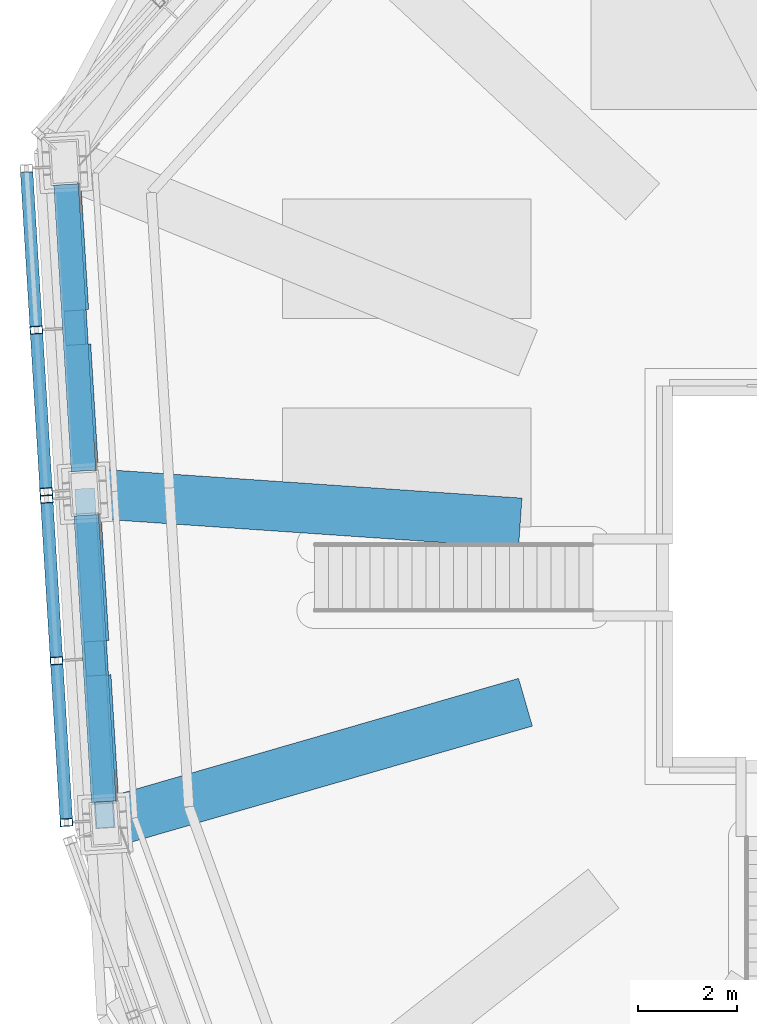
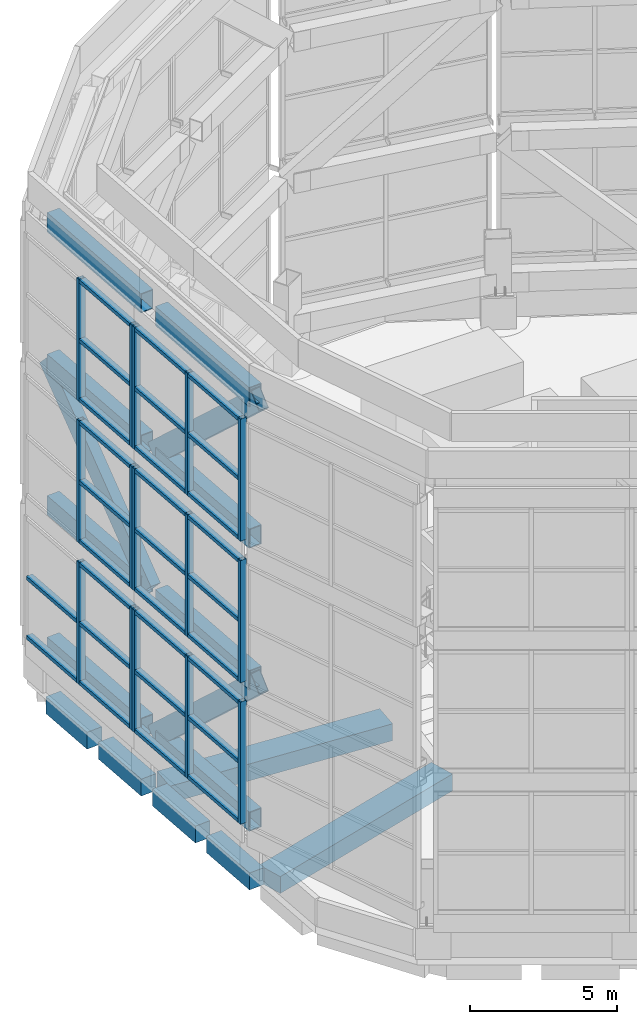
# One storey, part 7 of 46: 55 members, 6 beams, 6 elements without a shape of their own.
"""IFC4 building model written with IfcOpenShell, lengths in metres."""

from ifc_helpers import new_model, si_unit, direction, frame, origin, origin_2d, place, context, subcontext, project, spatial, rectangle, hollow_rectangle, extrude, material, material_profile, profile_set, type_object, element, aggregate, save


model = new_model("IFC4")

# Units and contexts
model_context = context("Model", 3, precision=1e-05, world=origin(), true_north=direction((0.0, 1.0)))
body_context = subcontext(model_context, "Body", "Model", "MODEL_VIEW")
ifc_project = project(units=[si_unit("LENGTHUNIT", "METRE"), si_unit("AREAUNIT", "SQUARE_METRE"), si_unit("VOLUMEUNIT", "CUBIC_METRE"), si_unit("PLANEANGLEUNIT", "RADIAN"), si_unit("MASSUNIT", "GRAM", prefix="KILO")], contexts=[model_context])

# Site, building, storey
site_placement = place(None, origin())
site = spatial("IfcSite", under=ifc_project, at=site_placement, CompositionType="ELEMENT")
building_placement = place(site_placement, origin())
building = spatial("IfcBuilding", under=site, at=building_placement, Name="Vanh Sen Convention Tower", CompositionType="ELEMENT")
storey_placement = place(building_placement, frame((0.0, 0.0, 305.0)))
storey = spatial("IfcBuildingStorey", under=building, at=storey_placement, Name="Roof level", CompositionType="ELEMENT", Elevation=305.0)

# Members
ifc_material_1 = material(Name="Steel S460", Category="steel")
ifc_material_profile_1 = material_profile(ifc_material_1, hollow_rectangle(XDim=0.39990234375, YDim=0.800048828125, WallThickness=0.02490234375, at=origin_2d()), Name="BOX 800X400X25")
ifc_profile_set_1 = profile_set([ifc_material_profile_1], Name="Steel S460")
member_type_1 = type_object("IfcMemberType", Name="Crown brace BOX 800X400X25", PredefinedType="BRACE", material=ifc_profile_set_1)
member_1_placement = place(storey_placement, frame((-18.9033203125, 1.115478515625, 1.7451171875), z_axis=(0.044683438643, -0.730472153041, 0.681479144173), x_axis=(0.998134311486, 0.061056500346, 0.0)))
element("IfcMember", 1, at=member_1_placement, inside=storey, type_object=member_type_1, Name="CROWN FRAME brace tier 1 span 11", PredefinedType="BRACE", context=body_context, shape_type="SweptSolid", body=[
    extrude(hollow_rectangle(XDim=0.39990234375, YDim=0.800048828125, WallThickness=0.02490234375, at=origin_2d()), origin(), (0.0, 0.0, 1.0), 8.61083984375),
])
member_2_placement = place(storey_placement, frame((-19.310302734375, 7.7666015625, 13.481689453125), z_axis=(0.04470994458, -0.73047033742, -0.681479351856), x_axis=(0.99813209434, 0.061092734825, 0.0)))
element("IfcMember", 2, at=member_2_placement, inside=storey, type_object=member_type_1, Name="CROWN FRAME brace tier 2 span 10", PredefinedType="BRACE", context=body_context, shape_type="SweptSolid", body=[
    extrude(hollow_rectangle(XDim=0.39990234375, YDim=0.800048828125, WallThickness=0.02490234375, at=origin_2d()), origin(), (0.0, 0.0, 1.0), 8.611328125),
])
member_3_placement = place(storey_placement, frame((-18.9033203125, 1.115478515625, 13.481689453125), z_axis=(0.044682575295, -0.73045803927, 0.681494328906), x_axis=(0.998134311486, 0.061056500346, 0.0)))
element("IfcMember", 3, at=member_3_placement, inside=storey, type_object=member_type_1, Name="CROWN FRAME brace tier 3 span 11", PredefinedType="BRACE", context=body_context, shape_type="SweptSolid", body=[
    extrude(hollow_rectangle(XDim=0.39990234375, YDim=0.800048828125, WallThickness=0.02490234375, at=origin_2d()), origin(), (0.0, 0.0, 1.0), 8.611083984375),
])
ifc_material_profile_2 = material_profile(ifc_material_1, hollow_rectangle(XDim=0.5, YDim=0.800048828125, WallThickness=0.030029296875, at=origin_2d()), Name="BOX 800X500X30")
ifc_profile_set_2 = profile_set([ifc_material_profile_2], Name="Steel S460")
member_type_2 = type_object("IfcMemberType", Name="Crown ring beam BOX 800X500X30", PredefinedType="CHORD", material=ifc_profile_set_2)
for number, where, z_axis, x_axis, name in (
    (4, (-19.2939453125, 7.502685546875, 1.7451171875), (0.06101978695, -0.99813655659, 0.0), (0.99813655659, 0.06101978695, 0.0), "CROWN FRAME ring beam 1 span 10"),
    (5, (-18.88720703125, 0.851806640625, 1.7451171875), (0.06101978695, -0.99813655659, 0.0), (0.99813655659, 0.06101978695, 0.0), "CROWN FRAME ring beam 1 span 11"),
    (6, (-19.2939453125, 7.502685546875, 7.61328125), (0.06101978695, -0.99813655659, 0.0), (0.99813655659, 0.06101978695, 0.0), "CROWN FRAME ring beam 2 span 10"),
    (7, (-18.88720703125, 0.851806640625, 7.61328125), (0.06101978695, -0.99813655659, 0.0), (0.99813655659, 0.06101978695, 0.0), "CROWN FRAME ring beam 2 span 11"),
    (8, (-19.2939453125, 7.502685546875, 13.481689453125), (0.06101978695, -0.99813655659, 0.0), (0.99813655659, 0.06101978695, 0.0), "CROWN FRAME ring beam 3 span 10"),
    (9, (-18.88720703125, 0.851806640625, 13.481689453125), (0.06101978695, -0.99813655659, 0.0), (0.99813655659, 0.06101978695, 0.0), "CROWN FRAME ring beam 3 span 11"),
    (10, (-19.2939453125, 7.502685546875, 19.35009765625), (0.06101978695, -0.99813655659, 0.0), (0.99813655659, 0.06101978695, 0.0), "CROWN FRAME ring beam 4 span 10"),
    (11, (-18.88720703125, 0.851806640625, 19.35009765625), (0.06101978695, -0.99813655659, 0.0), (0.99813655659, 0.06101978695, 0.0), "CROWN FRAME ring beam 4 span 11"),
):
    element("IfcMember", number, at=place(storey_placement, frame(where, z_axis=z_axis, x_axis=x_axis)), inside=storey, type_object=member_type_2, Name=name, PredefinedType="CHORD", context=body_context, shape_type="SweptSolid", body=[
        extrude(hollow_rectangle(XDim=0.5, YDim=0.800048828125, WallThickness=0.030029296875, at=origin_2d()), origin(), (0.0, 0.0, 1.0), 5.7734375),
    ])

# Curtain wall, members
ifc_material_2 = material(Name="Concrete C60/75", Category="concrete")
curtain_wall_type = type_object("IfcCurtainWallType", Name="Crown screen", PredefinedType="NOTDEFINED", material=ifc_material_2)
curtain_wall_1_placement = place(storey_placement, origin())
curtain_wall_1 = element("IfcCurtainWall", 12, at=curtain_wall_1_placement, inside=storey, type_object=curtain_wall_type, Name="CROWN SCREEN 10 tier 1", PredefinedType="NOTDEFINED")
ifc_material_3 = material(Name="Steel S355", Category="steel")
ifc_material_profile_3 = material_profile(ifc_material_3, hollow_rectangle(XDim=0.25, YDim=0.14990234375, WallThickness=0.008056640625, at=origin_2d()), Name="RHS 250X150X8")
ifc_profile_set_3 = profile_set([ifc_material_profile_3], Name="Steel S355")
member_type_3 = type_object("IfcMemberType", Name="Crown screen mullion RHS 250X150X8", PredefinedType="MULLION", material=ifc_profile_set_3)
member_4_placement = place(storey_placement, frame((-19.891357421875, 4.573974609375, 2.14501953125), z_axis=(0.0, 0.0, 1.0), x_axis=(0.998134674694, 0.061050562431, 0.0)))
member_4 = element("IfcMember", 13, at=member_4_placement, type_object=member_type_3, Name="CROWN SCREEN6 mullion 2", PredefinedType="MULLION", context=body_context, shape_type="SweptSolid", body=[
    extrude(hollow_rectangle(XDim=0.25, YDim=0.14990234375, WallThickness=0.008056640625, at=origin_2d()), origin(), (0.0, 0.0, 1.0), 5.068359375),
])
member_5_placement = place(storey_placement, frame((-19.692626953125, 1.323486328125, 2.14501953125), z_axis=(0.0, 0.0, 1.0), x_axis=(0.998134674694, 0.061050562431, 0.0)))
member_5 = element("IfcMember", 14, at=member_5_placement, type_object=member_type_3, Name="CROWN SCREEN6 mullion 3", PredefinedType="MULLION", context=body_context, shape_type="SweptSolid", body=[
    extrude(hollow_rectangle(XDim=0.25, YDim=0.14990234375, WallThickness=0.008056640625, at=origin_2d()), origin(), (0.0, 0.0, 1.0), 5.068359375),
])

curtain_wall_2_placement = place(storey_placement, origin())
curtain_wall_2 = element("IfcCurtainWall", 15, at=curtain_wall_2_placement, inside=storey, type_object=curtain_wall_type, Name="CROWN SCREEN 10 tier 2", PredefinedType="NOTDEFINED")
member_6_placement = place(storey_placement, frame((-19.891357421875, 4.573974609375, 8.01318359375), z_axis=(0.0, 0.0, 1.0), x_axis=(0.998134674694, 0.061050562431, 0.0)))
member_6 = element("IfcMember", 16, at=member_6_placement, type_object=member_type_3, Name="CROWN SCREEN6 mullion 2", PredefinedType="MULLION", context=body_context, shape_type="SweptSolid", body=[
    extrude(hollow_rectangle(XDim=0.25, YDim=0.14990234375, WallThickness=0.008056640625, at=origin_2d()), origin(), (0.0, 0.0, 1.0), 5.068603515625),
])
member_7_placement = place(storey_placement, frame((-19.692626953125, 1.323486328125, 8.01318359375), z_axis=(0.0, 0.0, 1.0), x_axis=(0.998134674694, 0.061050562431, 0.0)))
member_7 = element("IfcMember", 17, at=member_7_placement, type_object=member_type_3, Name="CROWN SCREEN6 mullion 3", PredefinedType="MULLION", context=body_context, shape_type="SweptSolid", body=[
    extrude(hollow_rectangle(XDim=0.25, YDim=0.14990234375, WallThickness=0.008056640625, at=origin_2d()), origin(), (0.0, 0.0, 1.0), 5.068603515625),
])

curtain_wall_3_placement = place(storey_placement, origin())
curtain_wall_3 = element("IfcCurtainWall", 18, at=curtain_wall_3_placement, inside=storey, type_object=curtain_wall_type, Name="CROWN SCREEN 10 tier 3", PredefinedType="NOTDEFINED")
member_8_placement = place(storey_placement, frame((-19.891357421875, 4.573974609375, 13.881591796875), z_axis=(0.0, 0.0, 1.0), x_axis=(0.998134674694, 0.061050562431, 0.0)))
member_8 = element("IfcMember", 19, at=member_8_placement, type_object=member_type_3, Name="CROWN SCREEN6 mullion 2", PredefinedType="MULLION", context=body_context, shape_type="SweptSolid", body=[
    extrude(hollow_rectangle(XDim=0.25, YDim=0.14990234375, WallThickness=0.008056640625, at=origin_2d()), origin(), (0.0, 0.0, 1.0), 5.068359375),
])
member_9_placement = place(storey_placement, frame((-19.692626953125, 1.323486328125, 13.881591796875), z_axis=(0.0, 0.0, 1.0), x_axis=(0.998134674694, 0.061050562431, 0.0)))
member_9 = element("IfcMember", 20, at=member_9_placement, type_object=member_type_3, Name="CROWN SCREEN6 mullion 3", PredefinedType="MULLION", context=body_context, shape_type="SweptSolid", body=[
    extrude(hollow_rectangle(XDim=0.25, YDim=0.14990234375, WallThickness=0.008056640625, at=origin_2d()), origin(), (0.0, 0.0, 1.0), 5.068359375),
])

curtain_wall_4_placement = place(storey_placement, origin())
curtain_wall_4 = element("IfcCurtainWall", 21, at=curtain_wall_4_placement, inside=storey, type_object=curtain_wall_type, Name="CROWN SCREEN 11 tier 1", PredefinedType="NOTDEFINED")
member_10_placement = place(storey_placement, frame((-19.683349609375, 1.173828125, 2.14501953125), z_axis=(0.0, 0.0, 1.0), x_axis=(0.998134618758, 0.06105147695, 0.0)))
member_10 = element("IfcMember", 22, at=member_10_placement, type_object=member_type_3, Name="CROWN SCREEN6 mullion 1", PredefinedType="MULLION", context=body_context, shape_type="SweptSolid", body=[
    extrude(hollow_rectangle(XDim=0.25, YDim=0.14990234375, WallThickness=0.008056640625, at=origin_2d()), origin(), (0.0, 0.0, 1.0), 5.068359375),
])
member_11_placement = place(storey_placement, frame((-19.484619140625, -2.076904296875, 2.14501953125), z_axis=(0.0, 0.0, 1.0), x_axis=(0.998134618758, 0.06105147695, 0.0)))
member_11 = element("IfcMember", 23, at=member_11_placement, type_object=member_type_3, Name="CROWN SCREEN6 mullion 2", PredefinedType="MULLION", context=body_context, shape_type="SweptSolid", body=[
    extrude(hollow_rectangle(XDim=0.25, YDim=0.14990234375, WallThickness=0.008056640625, at=origin_2d()), origin(), (0.0, 0.0, 1.0), 5.068359375),
])
member_12_placement = place(storey_placement, frame((-19.285888671875, -5.327392578125, 2.14501953125), z_axis=(0.0, 0.0, 1.0), x_axis=(0.998134618758, 0.06105147695, 0.0)))
member_12 = element("IfcMember", 24, at=member_12_placement, type_object=member_type_3, Name="CROWN SCREEN6 mullion 3", PredefinedType="MULLION", context=body_context, shape_type="SweptSolid", body=[
    extrude(hollow_rectangle(XDim=0.25, YDim=0.14990234375, WallThickness=0.008056640625, at=origin_2d()), origin(), (0.0, 0.0, 1.0), 5.068359375),
])

curtain_wall_5_placement = place(storey_placement, origin())
curtain_wall_5 = element("IfcCurtainWall", 25, at=curtain_wall_5_placement, inside=storey, type_object=curtain_wall_type, Name="CROWN SCREEN 11 tier 2", PredefinedType="NOTDEFINED")
member_13_placement = place(storey_placement, frame((-19.683349609375, 1.173828125, 8.01318359375), z_axis=(0.0, 0.0, 1.0), x_axis=(0.998134618758, 0.06105147695, 0.0)))
member_13 = element("IfcMember", 26, at=member_13_placement, type_object=member_type_3, Name="CROWN SCREEN6 mullion 1", PredefinedType="MULLION", context=body_context, shape_type="SweptSolid", body=[
    extrude(hollow_rectangle(XDim=0.25, YDim=0.14990234375, WallThickness=0.008056640625, at=origin_2d()), origin(), (0.0, 0.0, 1.0), 5.068603515625),
])
member_14_placement = place(storey_placement, frame((-19.484619140625, -2.076904296875, 8.01318359375), z_axis=(0.0, 0.0, 1.0), x_axis=(0.998134618758, 0.06105147695, 0.0)))
member_14 = element("IfcMember", 27, at=member_14_placement, type_object=member_type_3, Name="CROWN SCREEN6 mullion 2", PredefinedType="MULLION", context=body_context, shape_type="SweptSolid", body=[
    extrude(hollow_rectangle(XDim=0.25, YDim=0.14990234375, WallThickness=0.008056640625, at=origin_2d()), origin(), (0.0, 0.0, 1.0), 5.068603515625),
])
member_15_placement = place(storey_placement, frame((-19.285888671875, -5.327392578125, 8.01318359375), z_axis=(0.0, 0.0, 1.0), x_axis=(0.998134618758, 0.06105147695, 0.0)))
member_15 = element("IfcMember", 28, at=member_15_placement, type_object=member_type_3, Name="CROWN SCREEN6 mullion 3", PredefinedType="MULLION", context=body_context, shape_type="SweptSolid", body=[
    extrude(hollow_rectangle(XDim=0.25, YDim=0.14990234375, WallThickness=0.008056640625, at=origin_2d()), origin(), (0.0, 0.0, 1.0), 5.068603515625),
])

curtain_wall_6_placement = place(storey_placement, origin())
curtain_wall_6 = element("IfcCurtainWall", 29, at=curtain_wall_6_placement, inside=storey, type_object=curtain_wall_type, Name="CROWN SCREEN 11 tier 3", PredefinedType="NOTDEFINED")
member_16_placement = place(storey_placement, frame((-19.683349609375, 1.173828125, 13.881591796875), z_axis=(0.0, 0.0, 1.0), x_axis=(0.998134618758, 0.06105147695, 0.0)))
member_16 = element("IfcMember", 30, at=member_16_placement, type_object=member_type_3, Name="CROWN SCREEN6 mullion 1", PredefinedType="MULLION", context=body_context, shape_type="SweptSolid", body=[
    extrude(hollow_rectangle(XDim=0.25, YDim=0.14990234375, WallThickness=0.008056640625, at=origin_2d()), origin(), (0.0, 0.0, 1.0), 5.068359375),
])
member_17_placement = place(storey_placement, frame((-19.484619140625, -2.076904296875, 13.881591796875), z_axis=(0.0, 0.0, 1.0), x_axis=(0.998134618758, 0.06105147695, 0.0)))
member_17 = element("IfcMember", 31, at=member_17_placement, type_object=member_type_3, Name="CROWN SCREEN6 mullion 2", PredefinedType="MULLION", context=body_context, shape_type="SweptSolid", body=[
    extrude(hollow_rectangle(XDim=0.25, YDim=0.14990234375, WallThickness=0.008056640625, at=origin_2d()), origin(), (0.0, 0.0, 1.0), 5.068359375),
])
member_18_placement = place(storey_placement, frame((-19.285888671875, -5.327392578125, 13.881591796875), z_axis=(0.0, 0.0, 1.0), x_axis=(0.998134618758, 0.06105147695, 0.0)))
member_18 = element("IfcMember", 32, at=member_18_placement, type_object=member_type_3, Name="CROWN SCREEN6 mullion 3", PredefinedType="MULLION", context=body_context, shape_type="SweptSolid", body=[
    extrude(hollow_rectangle(XDim=0.25, YDim=0.14990234375, WallThickness=0.008056640625, at=origin_2d()), origin(), (0.0, 0.0, 1.0), 5.068359375),
])

# Member
ifc_material_profile_4 = material_profile(ifc_material_3, hollow_rectangle(XDim=0.25, YDim=0.14990234375, WallThickness=0.008056640625, at=origin_2d()), Name="RHS 250X150X8")
ifc_profile_set_4 = profile_set([ifc_material_profile_4], Name="Steel S355")
member_type_4 = type_object("IfcMemberType", Name="Crown screen transom RHS 250X150X8", PredefinedType="USERDEFINED", material=ifc_profile_set_4)
member_19_placement = place(storey_placement, frame((-20.085693359375, 7.749755859375, 2.219970703125), z_axis=(0.061062128377, -0.9981339672, 0.0), x_axis=(0.9981339672, 0.061062128377, 0.0)))
member_19 = element("IfcMember", 33, at=member_19_placement, type_object=member_type_4, Name="CROWN SCREEN6 transom 1.1", ObjectType="TRANSOM", PredefinedType="USERDEFINED", context=body_context, shape_type="SweptSolid", body=[
    extrude(hollow_rectangle(XDim=0.25, YDim=0.14990234375, WallThickness=0.008056640625, at=origin_2d()), origin(), (0.0, 0.0, 1.0), 3.106689453125),
])

member_20_placement = place(storey_placement, frame((-20.085693359375, 7.749755859375, 4.67919921875), z_axis=(0.061062128377, -0.9981339672, 0.0), x_axis=(0.9981339672, 0.061062128377, 0.0)))
member_20 = element("IfcMember", 34, at=member_20_placement, type_object=member_type_4, Name="CROWN SCREEN6 transom 1.2", ObjectType="TRANSOM", PredefinedType="USERDEFINED", context=body_context, shape_type="SweptSolid", body=[
    extrude(hollow_rectangle(XDim=0.25, YDim=0.14990234375, WallThickness=0.008056640625, at=origin_2d()), origin(), (0.0, 0.0, 1.0), 3.106689453125),
])

member_21_placement = place(storey_placement, frame((-19.88671875, 4.499267578125, 2.219970703125), z_axis=(0.060983833794, -0.998138753889, 0.0), x_axis=(0.998138753889, 0.060983833794, 0.0)))
member_21 = element("IfcMember", 35, at=member_21_placement, type_object=member_type_4, Name="CROWN SCREEN6 transom 2.1", ObjectType="TRANSOM", PredefinedType="USERDEFINED", context=body_context, shape_type="SweptSolid", body=[
    extrude(hollow_rectangle(XDim=0.25, YDim=0.14990234375, WallThickness=0.008056640625, at=origin_2d()), origin(), (0.0, 0.0, 1.0), 3.106689453125),
])

member_22_placement = place(storey_placement, frame((-19.88671875, 4.499267578125, 4.67919921875), z_axis=(0.060983833794, -0.998138753889, 0.0), x_axis=(0.998138753889, 0.060983833794, 0.0)))
member_22 = element("IfcMember", 36, at=member_22_placement, type_object=member_type_4, Name="CROWN SCREEN6 transom 2.2", ObjectType="TRANSOM", PredefinedType="USERDEFINED", context=body_context, shape_type="SweptSolid", body=[
    extrude(hollow_rectangle(XDim=0.25, YDim=0.14990234375, WallThickness=0.008056640625, at=origin_2d()), origin(), (0.0, 0.0, 1.0), 3.106689453125),
])

member_23_placement = place(storey_placement, frame((-19.88671875, 4.499267578125, 7.13818359375), z_axis=(0.060983833794, -0.998138753889, 0.0), x_axis=(0.998138753889, 0.060983833794, 0.0)))
member_23 = element("IfcMember", 37, at=member_23_placement, type_object=member_type_4, Name="CROWN SCREEN6 transom 2.3", ObjectType="TRANSOM", PredefinedType="USERDEFINED", context=body_context, shape_type="SweptSolid", body=[
    extrude(hollow_rectangle(XDim=0.25, YDim=0.14990234375, WallThickness=0.008056640625, at=origin_2d()), origin(), (0.0, 0.0, 1.0), 3.106689453125),
])

aggregate(curtain_wall_1, [member_4, member_5, member_19, member_20, member_21, member_22, member_23])

member_24_placement = place(storey_placement, frame((-19.88671875, 4.499267578125, 8.08837890625), z_axis=(0.060983833794, -0.998138753889, 0.0), x_axis=(0.998138753889, 0.060983833794, 0.0)))
member_24 = element("IfcMember", 38, at=member_24_placement, type_object=member_type_4, Name="CROWN SCREEN6 transom 2.1", ObjectType="TRANSOM", PredefinedType="USERDEFINED", context=body_context, shape_type="SweptSolid", body=[
    extrude(hollow_rectangle(XDim=0.25, YDim=0.14990234375, WallThickness=0.008056640625, at=origin_2d()), origin(), (0.0, 0.0, 1.0), 3.106689453125),
])

member_25_placement = place(storey_placement, frame((-19.88671875, 4.499267578125, 10.547607421875), z_axis=(0.060983833794, -0.998138753889, 0.0), x_axis=(0.998138753889, 0.060983833794, 0.0)))
member_25 = element("IfcMember", 39, at=member_25_placement, type_object=member_type_4, Name="CROWN SCREEN6 transom 2.2", ObjectType="TRANSOM", PredefinedType="USERDEFINED", context=body_context, shape_type="SweptSolid", body=[
    extrude(hollow_rectangle(XDim=0.25, YDim=0.14990234375, WallThickness=0.008056640625, at=origin_2d()), origin(), (0.0, 0.0, 1.0), 3.106689453125),
])

member_26_placement = place(storey_placement, frame((-19.88671875, 4.499267578125, 13.006591796875), z_axis=(0.060983833794, -0.998138753889, 0.0), x_axis=(0.998138753889, 0.060983833794, 0.0)))
member_26 = element("IfcMember", 40, at=member_26_placement, type_object=member_type_4, Name="CROWN SCREEN6 transom 2.3", ObjectType="TRANSOM", PredefinedType="USERDEFINED", context=body_context, shape_type="SweptSolid", body=[
    extrude(hollow_rectangle(XDim=0.25, YDim=0.14990234375, WallThickness=0.008056640625, at=origin_2d()), origin(), (0.0, 0.0, 1.0), 3.106689453125),
])

aggregate(curtain_wall_2, [member_6, member_7, member_24, member_25, member_26])

member_27_placement = place(storey_placement, frame((-19.88671875, 4.499267578125, 13.956787109375), z_axis=(0.060983833794, -0.998138753889, 0.0), x_axis=(0.998138753889, 0.060983833794, 0.0)))
member_27 = element("IfcMember", 41, at=member_27_placement, type_object=member_type_4, Name="CROWN SCREEN6 transom 2.1", ObjectType="TRANSOM", PredefinedType="USERDEFINED", context=body_context, shape_type="SweptSolid", body=[
    extrude(hollow_rectangle(XDim=0.25, YDim=0.14990234375, WallThickness=0.008056640625, at=origin_2d()), origin(), (0.0, 0.0, 1.0), 3.106689453125),
])

member_28_placement = place(storey_placement, frame((-19.88671875, 4.499267578125, 16.415771484375), z_axis=(0.060983833794, -0.998138753889, 0.0), x_axis=(0.998138753889, 0.060983833794, 0.0)))
member_28 = element("IfcMember", 42, at=member_28_placement, type_object=member_type_4, Name="CROWN SCREEN6 transom 2.2", ObjectType="TRANSOM", PredefinedType="USERDEFINED", context=body_context, shape_type="SweptSolid", body=[
    extrude(hollow_rectangle(XDim=0.25, YDim=0.14990234375, WallThickness=0.008056640625, at=origin_2d()), origin(), (0.0, 0.0, 1.0), 3.106689453125),
])

member_29_placement = place(storey_placement, frame((-19.88671875, 4.499267578125, 18.875), z_axis=(0.060983833794, -0.998138753889, 0.0), x_axis=(0.998138753889, 0.060983833794, 0.0)))
member_29 = element("IfcMember", 43, at=member_29_placement, type_object=member_type_4, Name="CROWN SCREEN6 transom 2.3", ObjectType="TRANSOM", PredefinedType="USERDEFINED", context=body_context, shape_type="SweptSolid", body=[
    extrude(hollow_rectangle(XDim=0.25, YDim=0.14990234375, WallThickness=0.008056640625, at=origin_2d()), origin(), (0.0, 0.0, 1.0), 3.106689453125),
])

aggregate(curtain_wall_3, [member_8, member_9, member_27, member_28, member_29])

member_30_placement = place(storey_placement, frame((-19.678955078125, 1.098876953125, 2.219970703125), z_axis=(0.061062128377, -0.9981339672, 0.0), x_axis=(0.9981339672, 0.061062128377, 0.0)))
member_30 = element("IfcMember", 44, at=member_30_placement, type_object=member_type_4, Name="CROWN SCREEN6 transom 1.1", ObjectType="TRANSOM", PredefinedType="USERDEFINED", context=body_context, shape_type="SweptSolid", body=[
    extrude(hollow_rectangle(XDim=0.25, YDim=0.14990234375, WallThickness=0.008056640625, at=origin_2d()), origin(), (0.0, 0.0, 1.0), 3.106689453125),
])

member_31_placement = place(storey_placement, frame((-19.678955078125, 1.098876953125, 4.67919921875), z_axis=(0.061062128377, -0.9981339672, 0.0), x_axis=(0.9981339672, 0.061062128377, 0.0)))
member_31 = element("IfcMember", 45, at=member_31_placement, type_object=member_type_4, Name="CROWN SCREEN6 transom 1.2", ObjectType="TRANSOM", PredefinedType="USERDEFINED", context=body_context, shape_type="SweptSolid", body=[
    extrude(hollow_rectangle(XDim=0.25, YDim=0.14990234375, WallThickness=0.008056640625, at=origin_2d()), origin(), (0.0, 0.0, 1.0), 3.106689453125),
])

member_32_placement = place(storey_placement, frame((-19.678955078125, 1.098876953125, 7.13818359375), z_axis=(0.061062128377, -0.9981339672, 0.0), x_axis=(0.9981339672, 0.061062128377, 0.0)))
member_32 = element("IfcMember", 46, at=member_32_placement, type_object=member_type_4, Name="CROWN SCREEN6 transom 1.3", ObjectType="TRANSOM", PredefinedType="USERDEFINED", context=body_context, shape_type="SweptSolid", body=[
    extrude(hollow_rectangle(XDim=0.25, YDim=0.14990234375, WallThickness=0.008056640625, at=origin_2d()), origin(), (0.0, 0.0, 1.0), 3.106689453125),
])

member_33_placement = place(storey_placement, frame((-19.47998046875, -2.151611328125, 2.219970703125), z_axis=(0.061062128377, -0.9981339672, 0.0), x_axis=(0.9981339672, 0.061062128377, 0.0)))
member_33 = element("IfcMember", 47, at=member_33_placement, type_object=member_type_4, Name="CROWN SCREEN6 transom 2.1", ObjectType="TRANSOM", PredefinedType="USERDEFINED", context=body_context, shape_type="SweptSolid", body=[
    extrude(hollow_rectangle(XDim=0.25, YDim=0.14990234375, WallThickness=0.008056640625, at=origin_2d()), origin(), (0.0, 0.0, 1.0), 3.106689453125),
])

member_34_placement = place(storey_placement, frame((-19.47998046875, -2.151611328125, 4.67919921875), z_axis=(0.061062128377, -0.9981339672, 0.0), x_axis=(0.9981339672, 0.061062128377, 0.0)))
member_34 = element("IfcMember", 48, at=member_34_placement, type_object=member_type_4, Name="CROWN SCREEN6 transom 2.2", ObjectType="TRANSOM", PredefinedType="USERDEFINED", context=body_context, shape_type="SweptSolid", body=[
    extrude(hollow_rectangle(XDim=0.25, YDim=0.14990234375, WallThickness=0.008056640625, at=origin_2d()), origin(), (0.0, 0.0, 1.0), 3.106689453125),
])

member_35_placement = place(storey_placement, frame((-19.47998046875, -2.151611328125, 7.13818359375), z_axis=(0.061062128377, -0.9981339672, 0.0), x_axis=(0.9981339672, 0.061062128377, 0.0)))
member_35 = element("IfcMember", 49, at=member_35_placement, type_object=member_type_4, Name="CROWN SCREEN6 transom 2.3", ObjectType="TRANSOM", PredefinedType="USERDEFINED", context=body_context, shape_type="SweptSolid", body=[
    extrude(hollow_rectangle(XDim=0.25, YDim=0.14990234375, WallThickness=0.008056640625, at=origin_2d()), origin(), (0.0, 0.0, 1.0), 3.106689453125),
])

aggregate(curtain_wall_4, [member_10, member_11, member_12, member_30, member_31, member_32, member_33, member_34, member_35])

member_36_placement = place(storey_placement, frame((-19.678955078125, 1.098876953125, 8.08837890625), z_axis=(0.061062128377, -0.9981339672, 0.0), x_axis=(0.9981339672, 0.061062128377, 0.0)))
member_36 = element("IfcMember", 50, at=member_36_placement, type_object=member_type_4, Name="CROWN SCREEN6 transom 1.1", ObjectType="TRANSOM", PredefinedType="USERDEFINED", context=body_context, shape_type="SweptSolid", body=[
    extrude(hollow_rectangle(XDim=0.25, YDim=0.14990234375, WallThickness=0.008056640625, at=origin_2d()), origin(), (0.0, 0.0, 1.0), 3.106689453125),
])

member_37_placement = place(storey_placement, frame((-19.678955078125, 1.098876953125, 10.547607421875), z_axis=(0.061062128377, -0.9981339672, 0.0), x_axis=(0.9981339672, 0.061062128377, 0.0)))
member_37 = element("IfcMember", 51, at=member_37_placement, type_object=member_type_4, Name="CROWN SCREEN6 transom 1.2", ObjectType="TRANSOM", PredefinedType="USERDEFINED", context=body_context, shape_type="SweptSolid", body=[
    extrude(hollow_rectangle(XDim=0.25, YDim=0.14990234375, WallThickness=0.008056640625, at=origin_2d()), origin(), (0.0, 0.0, 1.0), 3.106689453125),
])

member_38_placement = place(storey_placement, frame((-19.678955078125, 1.098876953125, 13.006591796875), z_axis=(0.061062128377, -0.9981339672, 0.0), x_axis=(0.9981339672, 0.061062128377, 0.0)))
member_38 = element("IfcMember", 52, at=member_38_placement, type_object=member_type_4, Name="CROWN SCREEN6 transom 1.3", ObjectType="TRANSOM", PredefinedType="USERDEFINED", context=body_context, shape_type="SweptSolid", body=[
    extrude(hollow_rectangle(XDim=0.25, YDim=0.14990234375, WallThickness=0.008056640625, at=origin_2d()), origin(), (0.0, 0.0, 1.0), 3.106689453125),
])

member_39_placement = place(storey_placement, frame((-19.47998046875, -2.151611328125, 8.08837890625), z_axis=(0.061062128377, -0.9981339672, 0.0), x_axis=(0.9981339672, 0.061062128377, 0.0)))
member_39 = element("IfcMember", 53, at=member_39_placement, type_object=member_type_4, Name="CROWN SCREEN6 transom 2.1", ObjectType="TRANSOM", PredefinedType="USERDEFINED", context=body_context, shape_type="SweptSolid", body=[
    extrude(hollow_rectangle(XDim=0.25, YDim=0.14990234375, WallThickness=0.008056640625, at=origin_2d()), origin(), (0.0, 0.0, 1.0), 3.106689453125),
])

member_40_placement = place(storey_placement, frame((-19.47998046875, -2.151611328125, 10.547607421875), z_axis=(0.061062128377, -0.9981339672, 0.0), x_axis=(0.9981339672, 0.061062128377, 0.0)))
member_40 = element("IfcMember", 54, at=member_40_placement, type_object=member_type_4, Name="CROWN SCREEN6 transom 2.2", ObjectType="TRANSOM", PredefinedType="USERDEFINED", context=body_context, shape_type="SweptSolid", body=[
    extrude(hollow_rectangle(XDim=0.25, YDim=0.14990234375, WallThickness=0.008056640625, at=origin_2d()), origin(), (0.0, 0.0, 1.0), 3.106689453125),
])

member_41_placement = place(storey_placement, frame((-19.47998046875, -2.151611328125, 13.006591796875), z_axis=(0.061062128377, -0.9981339672, 0.0), x_axis=(0.9981339672, 0.061062128377, 0.0)))
member_41 = element("IfcMember", 55, at=member_41_placement, type_object=member_type_4, Name="CROWN SCREEN6 transom 2.3", ObjectType="TRANSOM", PredefinedType="USERDEFINED", context=body_context, shape_type="SweptSolid", body=[
    extrude(hollow_rectangle(XDim=0.25, YDim=0.14990234375, WallThickness=0.008056640625, at=origin_2d()), origin(), (0.0, 0.0, 1.0), 3.106689453125),
])

aggregate(curtain_wall_5, [member_13, member_14, member_15, member_36, member_37, member_38, member_39, member_40, member_41])

member_42_placement = place(storey_placement, frame((-19.678955078125, 1.098876953125, 13.956787109375), z_axis=(0.061062128377, -0.9981339672, 0.0), x_axis=(0.9981339672, 0.061062128377, 0.0)))
member_42 = element("IfcMember", 56, at=member_42_placement, type_object=member_type_4, Name="CROWN SCREEN6 transom 1.1", ObjectType="TRANSOM", PredefinedType="USERDEFINED", context=body_context, shape_type="SweptSolid", body=[
    extrude(hollow_rectangle(XDim=0.25, YDim=0.14990234375, WallThickness=0.008056640625, at=origin_2d()), origin(), (0.0, 0.0, 1.0), 3.106689453125),
])

member_43_placement = place(storey_placement, frame((-19.678955078125, 1.098876953125, 16.415771484375), z_axis=(0.061062128377, -0.9981339672, 0.0), x_axis=(0.9981339672, 0.061062128377, 0.0)))
member_43 = element("IfcMember", 57, at=member_43_placement, type_object=member_type_4, Name="CROWN SCREEN6 transom 1.2", ObjectType="TRANSOM", PredefinedType="USERDEFINED", context=body_context, shape_type="SweptSolid", body=[
    extrude(hollow_rectangle(XDim=0.25, YDim=0.14990234375, WallThickness=0.008056640625, at=origin_2d()), origin(), (0.0, 0.0, 1.0), 3.106689453125),
])

member_44_placement = place(storey_placement, frame((-19.678955078125, 1.098876953125, 18.875), z_axis=(0.061062128377, -0.9981339672, 0.0), x_axis=(0.9981339672, 0.061062128377, 0.0)))
member_44 = element("IfcMember", 58, at=member_44_placement, type_object=member_type_4, Name="CROWN SCREEN6 transom 1.3", ObjectType="TRANSOM", PredefinedType="USERDEFINED", context=body_context, shape_type="SweptSolid", body=[
    extrude(hollow_rectangle(XDim=0.25, YDim=0.14990234375, WallThickness=0.008056640625, at=origin_2d()), origin(), (0.0, 0.0, 1.0), 3.106689453125),
])

member_45_placement = place(storey_placement, frame((-19.47998046875, -2.151611328125, 13.956787109375), z_axis=(0.061062128377, -0.9981339672, 0.0), x_axis=(0.9981339672, 0.061062128377, 0.0)))
member_45 = element("IfcMember", 59, at=member_45_placement, type_object=member_type_4, Name="CROWN SCREEN6 transom 2.1", ObjectType="TRANSOM", PredefinedType="USERDEFINED", context=body_context, shape_type="SweptSolid", body=[
    extrude(hollow_rectangle(XDim=0.25, YDim=0.14990234375, WallThickness=0.008056640625, at=origin_2d()), origin(), (0.0, 0.0, 1.0), 3.106689453125),
])

member_46_placement = place(storey_placement, frame((-19.47998046875, -2.151611328125, 16.415771484375), z_axis=(0.061062128377, -0.9981339672, 0.0), x_axis=(0.9981339672, 0.061062128377, 0.0)))
member_46 = element("IfcMember", 60, at=member_46_placement, type_object=member_type_4, Name="CROWN SCREEN6 transom 2.2", ObjectType="TRANSOM", PredefinedType="USERDEFINED", context=body_context, shape_type="SweptSolid", body=[
    extrude(hollow_rectangle(XDim=0.25, YDim=0.14990234375, WallThickness=0.008056640625, at=origin_2d()), origin(), (0.0, 0.0, 1.0), 3.106689453125),
])

member_47_placement = place(storey_placement, frame((-19.47998046875, -2.151611328125, 18.875), z_axis=(0.061062128377, -0.9981339672, 0.0), x_axis=(0.9981339672, 0.061062128377, 0.0)))
member_47 = element("IfcMember", 61, at=member_47_placement, type_object=member_type_4, Name="CROWN SCREEN6 transom 2.3", ObjectType="TRANSOM", PredefinedType="USERDEFINED", context=body_context, shape_type="SweptSolid", body=[
    extrude(hollow_rectangle(XDim=0.25, YDim=0.14990234375, WallThickness=0.008056640625, at=origin_2d()), origin(), (0.0, 0.0, 1.0), 3.106689453125),
])

aggregate(curtain_wall_6, [member_16, member_17, member_18, member_42, member_43, member_44, member_45, member_46, member_47])

# Beams
ifc_material_4 = material(Name="Concrete C50/60", Category="concrete")
ifc_material_profile_5 = material_profile(ifc_material_4, rectangle(XDim=1.0, YDim=0.699951171875, at=origin_2d()), Name="RC 1000X700")
ifc_profile_set_5 = profile_set([ifc_material_profile_5], Name="Concrete C50/60")
beam_type_1 = type_object("IfcBeamType", Name="Radial floor beam 1000 x 700", PredefinedType="BEAM", material=ifc_profile_set_5)
beam_1_placement = place(storey_placement, frame((-18.5673828125, 1.272216796875, -0.64990234375), z_axis=(0.997661428588, -0.068349644528, 0.0), x_axis=(0.068349644528, 0.997661428588, 0.0)))
element("IfcBeam", 62, at=beam_1_placement, inside=storey, type_object=beam_type_1, Name="Radial beam 11 Roof level", PredefinedType="BEAM", context=body_context, shape_type="SweptSolid", body=[
    extrude(rectangle(XDim=1.0, YDim=0.699951171875, at=origin_2d()), origin(), (0.0, 0.0, 1.0), 8.42626953125),
])
beam_2_placement = place(storey_placement, frame((-18.167724609375, -5.256591796875, -0.64990234375), z_axis=(0.96060103798, 0.277931009123, 0.0), x_axis=(-0.277931009123, 0.96060103798, 0.0)))
element("IfcBeam", 63, at=beam_2_placement, inside=storey, type_object=beam_type_1, Name="Radial beam 12 Roof level", PredefinedType="BEAM", context=body_context, shape_type="SweptSolid", body=[
    extrude(rectangle(XDim=1.0, YDim=0.699951171875, at=origin_2d()), origin(), (0.0, 0.0, 1.0), 8.4443359375),
])
ifc_material_profile_6 = material_profile(ifc_material_4, rectangle(XDim=0.60009765625, YDim=0.699951171875, at=origin_2d()), Name="RC 600X700")
ifc_profile_set_6 = profile_set([ifc_material_profile_6], Name="Concrete C50/60")
beam_type_2 = type_object("IfcBeamType", Name="Spandrel beam 600 x 700", PredefinedType="SPANDREL", material=ifc_profile_set_6)
beam_3_placement = place(storey_placement, frame((-19.2939453125, 7.502685546875, -0.64990234375), z_axis=(0.060996786272, -0.99813796244, 0.0), x_axis=(0.99813796244, 0.060996786272, 0.0)))
element("IfcBeam", 64, at=beam_3_placement, inside=storey, type_object=beam_type_2, Name="Spandrel beam 19 Roof level", PredefinedType="SPANDREL", context=body_context, shape_type="SweptSolid", body=[
    extrude(rectangle(XDim=0.60009765625, YDim=0.699951171875, at=origin_2d()), origin(), (0.0, 0.0, 1.0), 2.54150390625),
])
for number, where, z_axis, x_axis, name in (
    (65, (-19.0966796875, 4.277099609375, -0.64990234375), (0.060991691574, -0.998138273767, 0.0), (0.998138273767, 0.060991691574, 0.0), "Spandrel beam 20 Roof level"),
    (66, (-18.893310546875, 0.95166015625, -0.64990234375), (0.060991691574, -0.998138273767, 0.0), (0.998138273767, 0.060991691574, 0.0), "Spandrel beam 21 Roof level"),
):
    element("IfcBeam", number, at=place(storey_placement, frame(where, z_axis=z_axis, x_axis=x_axis)), inside=storey, type_object=beam_type_2, Name=name, PredefinedType="SPANDREL", context=body_context, shape_type="SweptSolid", body=[
        extrude(rectangle(XDim=0.60009765625, YDim=0.699951171875, at=origin_2d()), origin(), (0.0, 0.0, 1.0), 2.641845703125),
    ])
beam_4_placement = place(storey_placement, frame((-18.68994140625, -2.373779296875, -0.64990234375), z_axis=(0.060997317941, -0.99813792995, 0.0), x_axis=(0.99813792995, 0.060997317941, 0.0)))
element("IfcBeam", 67, at=beam_4_placement, inside=storey, type_object=beam_type_2, Name="Spandrel beam 22 Roof level", PredefinedType="SPANDREL", context=body_context, shape_type="SweptSolid", body=[
    extrude(rectangle(XDim=0.60009765625, YDim=0.699951171875, at=origin_2d()), origin(), (0.0, 0.0, 1.0), 2.6416015625),
])

save(model, "model.ifc")
